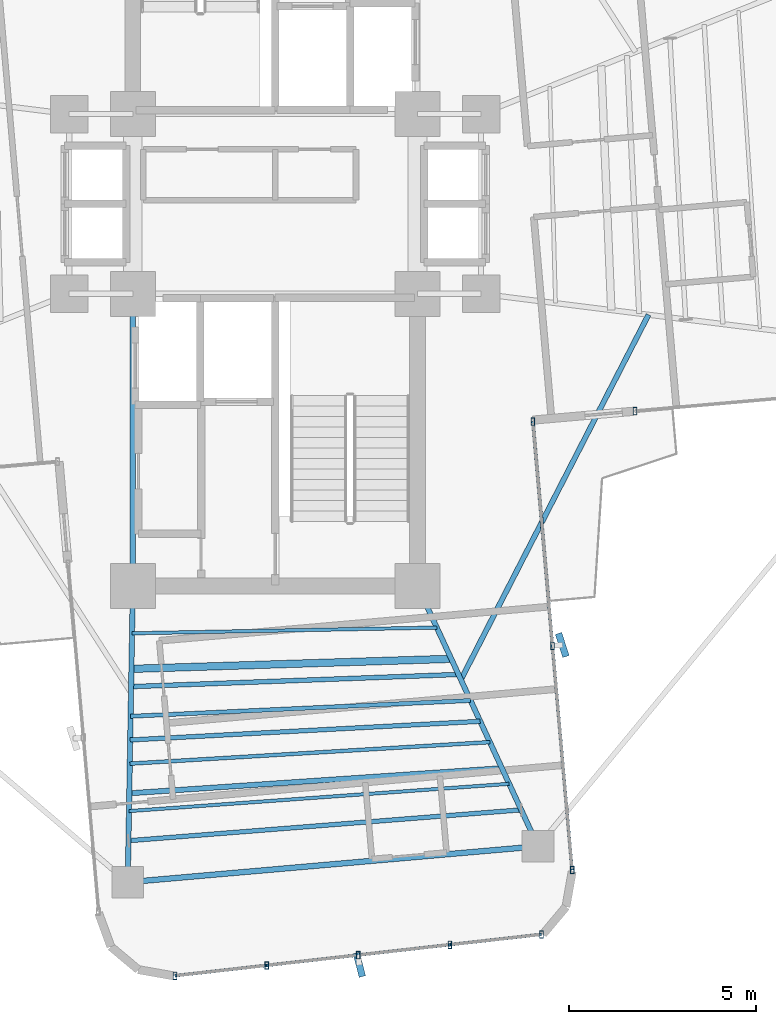
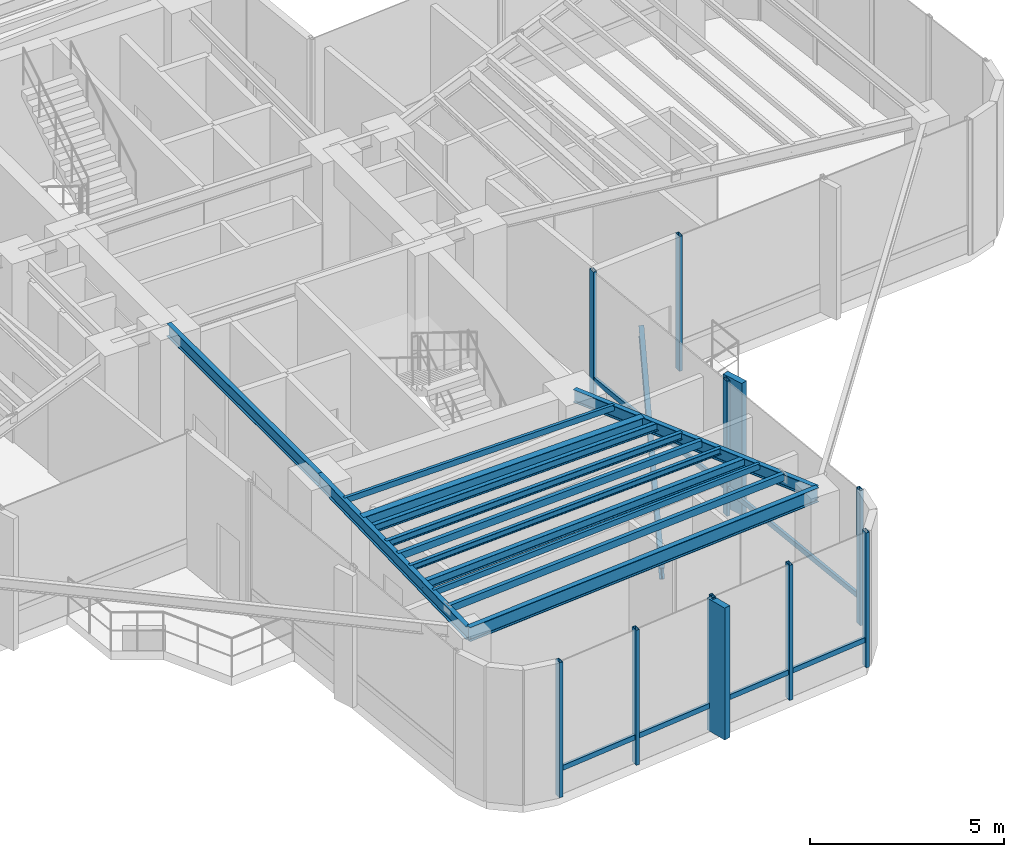
# One storey, part 3 of 19: 17 members, 14 beams, 3 elements without a shape of their own.
"""IFC4 building model written with IfcOpenShell, lengths in metres."""

from ifc_helpers import new_model, si_unit, direction, frame, origin, origin_2d, place, context, subcontext, project, spatial, rectangle, hollow_rectangle, i_section, extrude, source, transform, mapped, material, material_profile, profile_set, type_object, element, aggregate, save


model = new_model("IFC4")

# Units and contexts
model_context = context("Model", 3, precision=1e-05, world=origin(), true_north=direction((0.0, 1.0)))
body_context = subcontext(model_context, "Body", "Model", "MODEL_VIEW")
ifc_project = project(units=[si_unit("LENGTHUNIT", "METRE"), si_unit("AREAUNIT", "SQUARE_METRE"), si_unit("VOLUMEUNIT", "CUBIC_METRE"), si_unit("PLANEANGLEUNIT", "RADIAN"), si_unit("MASSUNIT", "GRAM", prefix="KILO")], contexts=[model_context])

# Site, building, storey
site_placement = place(None, origin())
site = spatial("IfcSite", under=ifc_project, at=site_placement, CompositionType="ELEMENT")
building_placement = place(site_placement, origin())
building = spatial("IfcBuilding", under=site, at=building_placement, Name="Sahyath Konkavel Grand Hotel", CompositionType="ELEMENT")
storey_placement = place(building_placement, frame((0.0, 0.0, 170.699951171875)))
storey = spatial("IfcBuildingStorey", under=building, at=storey_placement, Name="L47", CompositionType="ELEMENT", Elevation=170.699951171875)

# Beams
ifc_material_1 = material(Name="Steel E350", Category="steel")
ifc_material_profile_1 = material_profile(ifc_material_1, i_section(OverallWidth=0.139892578125, OverallDepth=0.39990234375, WebThickness=0.0087890625, FlangeThickness=0.01611328125, FilletRadius=0.013916015625, at=origin_2d()), Name="ISMB 400")
ifc_profile_set_1 = profile_set([ifc_material_profile_1], Name="Steel E350")
beam_type_1 = type_object("IfcBeamType", Name="BM-ISMB400", PredefinedType="BEAM", material=ifc_profile_set_1)
shared_shape_1 = source(origin(), body_context, "Body", "SweptSolid", [
    extrude(i_section(OverallWidth=0.139892578125, OverallDepth=0.39990234375, WebThickness=0.0087890625, FlangeThickness=0.01611328125, FilletRadius=0.013916015625, at=origin_2d()), origin(), (0.0, 0.0, 1.0), 7.800048828125),
])
beam_1_placement = place(storey_placement, frame((-3.800048828125, -10.199951171875, 4.06005859375), z_axis=(0.0, 1.0, 0.0), x_axis=(-1.0, 0.0, 0.0)))
element("IfcBeam", 1, at=beam_1_placement, inside=storey, type_object=beam_type_1, Name="str:bm:L47:SC-W", PredefinedType="BEAM", context=body_context, shape_type="MappedRepresentation", body=[
    mapped(shared_shape_1, transform((0.0, 0.0, 0.0), scale=1.0)),
])
shared_shape_2 = source(origin(), body_context, "Body", "SweptSolid", [
    extrude(i_section(OverallWidth=0.139892578125, OverallDepth=0.39990234375, WebThickness=0.0087890625, FlangeThickness=0.01611328125, FilletRadius=0.013916015625, at=origin_2d()), origin(), (0.0, 0.0, 1.0), 7.913330078125),
])
beam_2_placement = place(storey_placement, frame((-3.800048828125, -10.199951171875, 4.06005859375), z_axis=(-0.017215419232, -0.999851803689, 0.0), x_axis=(0.999851803689, -0.017215419232, 0.0)))
element("IfcBeam", 2, at=beam_2_placement, inside=storey, type_object=beam_type_1, Name="L47 Cruciform Radial Girder SA", PredefinedType="BEAM", context=body_context, shape_type="MappedRepresentation", body=[
    mapped(shared_shape_2, transform((0.0, 0.0, 0.0), scale=1.0)),
])
shared_shape_3 = source(origin(), body_context, "Body", "SweptSolid", [
    extrude(i_section(OverallWidth=0.139892578125, OverallDepth=0.39990234375, WebThickness=0.0087890625, FlangeThickness=0.01611328125, FilletRadius=0.013916015625, at=origin_2d()), origin(), (0.0, 0.0, 1.0), 7.66357421875),
])
beam_3_placement = place(storey_placement, frame((3.800048828125, -10.199951171875, 4.06005859375), z_axis=(0.420395127561, -0.907341135804, 0.0), x_axis=(0.907341135804, 0.420395127561, 0.0)))
element("IfcBeam", 3, at=beam_3_placement, inside=storey, type_object=beam_type_1, Name="L47 Cruciform Radial Girder SB", PredefinedType="BEAM", context=body_context, shape_type="MappedRepresentation", body=[
    mapped(shared_shape_3, transform((0.0, 0.0, 0.0), scale=1.0)),
])
ifc_material_profile_2 = material_profile(ifc_material_1, i_section(OverallWidth=0.14990234375, OverallDepth=0.449951171875, WebThickness=0.009521484375, FlangeThickness=0.017333984375, FilletRadius=0.014892578125, at=origin_2d()), Name="ISMB 450")
ifc_profile_set_2 = profile_set([ifc_material_profile_2], Name="Steel E350")
beam_type_2 = type_object("IfcBeamType", Name="BM-ISMB450", PredefinedType="BEAM", material=ifc_profile_set_2)
shared_shape_4 = source(origin(), body_context, "Body", "SweptSolid", [
    extrude(i_section(OverallWidth=0.14990234375, OverallDepth=0.449951171875, WebThickness=0.009521484375, FlangeThickness=0.017333984375, FilletRadius=0.014892578125, at=origin_2d()), origin(), (0.0, 0.0, 1.0), 10.999755859375),
])
beam_4_placement = place(storey_placement, frame((-3.936279296875, -18.112060546875, 4.03515625), z_axis=(0.99619439202, 0.087159241098, 0.0), x_axis=(-0.087159241098, 0.99619439202, 0.0)))
element("IfcBeam", 4, at=beam_4_placement, inside=storey, type_object=beam_type_2, Name="L47 Wing Tip Edge Beam S", PredefinedType="BEAM", context=body_context, shape_type="MappedRepresentation", body=[
    mapped(shared_shape_4, transform((0.0, 0.0, 0.0), scale=1.0)),
])
ifc_material_profile_3 = material_profile(ifc_material_1, i_section(OverallWidth=0.199951171875, OverallDepth=0.449951171875, WebThickness=0.00927734375, FlangeThickness=0.015380859375, FilletRadius=0.01611328125, at=origin_2d()), Name="ISWB 450")
ifc_profile_set_3 = profile_set([ifc_material_profile_3], Name="Steel E350")
beam_type_3 = type_object("IfcBeamType", Name="BM-ISWB450", PredefinedType="BEAM", material=ifc_profile_set_3)
shared_shape_5 = source(origin(), body_context, "Body", "SweptSolid", [
    extrude(i_section(OverallWidth=0.199951171875, OverallDepth=0.449951171875, WebThickness=0.00927734375, FlangeThickness=0.015380859375, FilletRadius=0.01611328125, at=origin_2d()), origin(), (0.0, 0.0, 1.0), 8.54443359375),
])
beam_5_placement = place(storey_placement, frame((-3.838134765625, -12.415283203125, 4.03515625), z_axis=(0.999506849365, 0.031401561632, 0.0), x_axis=(-0.031401561632, 0.999506849365, 0.0)))
element("IfcBeam", 5, at=beam_5_placement, inside=storey, type_object=beam_type_3, Name="L47 Secondary Floor Beam S-1", PredefinedType="BEAM", context=body_context, shape_type="MappedRepresentation", body=[
    mapped(shared_shape_5, transform((0.0, 0.0, 0.0), scale=1.0)),
])
ifc_material_profile_4 = material_profile(ifc_material_1, hollow_rectangle(XDim=0.1201171875, YDim=0.219970703125, WallThickness=0.010009765625, at=origin_2d()), Name="RHS 220x120x10")
ifc_profile_set_4 = profile_set([ifc_material_profile_4], Name="Steel E350")
beam_type_4 = type_object("IfcBeamType", Name="BM-RHS220", PredefinedType="BEAM", material=ifc_profile_set_4)
shared_shape_6 = source(origin(), body_context, "Body", "SweptSolid", [
    extrude(hollow_rectangle(XDim=0.1201171875, YDim=0.219970703125, WallThickness=0.010009765625, at=origin_2d()), origin(), (0.0, 0.0, 1.0), 9.359375),
])
beam_6_placement = place(storey_placement, frame((-3.870849609375, -14.314208984375, 4.150146484375), z_axis=(0.998580397723, 0.053265272769, 0.0), x_axis=(-0.053265272769, 0.998580397723, 0.0)))
element("IfcBeam", 6, at=beam_6_placement, inside=storey, type_object=beam_type_4, Name="L47 Secondary Floor Beam S-2", PredefinedType="BEAM", context=body_context, shape_type="MappedRepresentation", body=[
    mapped(shared_shape_6, transform((0.0, 0.0, 0.0), scale=1.0)),
])
ifc_material_profile_5 = material_profile(ifc_material_1, hollow_rectangle(XDim=0.090087890625, YDim=0.179931640625, WallThickness=0.008056640625, at=origin_2d()), Name="RHS 180x90x8")
ifc_profile_set_5 = profile_set([ifc_material_profile_5], Name="Steel E350")
beam_type_5 = type_object("IfcBeamType", Name="BM-RHS180", PredefinedType="BEAM", material=ifc_profile_set_5)
shared_shape_7 = source(origin(), body_context, "Body", "SweptSolid", [
    extrude(hollow_rectangle(XDim=0.090087890625, YDim=0.179931640625, WallThickness=0.008056640625, at=origin_2d()), origin(), (0.0, 0.0, 1.0), 10.178466796875),
])
beam_7_placement = place(storey_placement, frame((-3.90380859375, -16.213134765625, 4.170166015625), z_axis=(0.997435268886, 0.071574327683, 0.0), x_axis=(-0.071574327683, 0.997435268886, 0.0)))
element("IfcBeam", 7, at=beam_7_placement, inside=storey, type_object=beam_type_5, Name="L47 Secondary Floor Beam S-3", PredefinedType="BEAM", context=body_context, shape_type="MappedRepresentation", body=[
    mapped(shared_shape_7, transform((0.0, 0.0, 0.0), scale=1.0)),
])
shared_shape_8 = source(origin(), body_context, "Body", "SweptSolid", [
    extrude(hollow_rectangle(XDim=0.090087890625, YDim=0.179931640625, WallThickness=0.008056640625, at=origin_2d()), origin(), (0.0, 0.0, 1.0), 8.138671875),
])
beam_8_placement = place(storey_placement, frame((-3.82177734375, -11.4658203125, 4.170166015625), z_axis=(0.99982253895, 0.018838540488, 0.0), x_axis=(-0.018838540488, 0.99982253895, 0.0)))
element("IfcBeam", 8, at=beam_8_placement, inside=storey, type_object=beam_type_5, Name="L47 Composite Deck Sub-Beam S-1", PredefinedType="BEAM", context=body_context, shape_type="MappedRepresentation", body=[
    mapped(shared_shape_8, transform((0.0, 0.0, 0.0), scale=1.0)),
])
ifc_material_profile_6 = material_profile(ifc_material_1, i_section(OverallWidth=0.125, OverallDepth=0.25, WebThickness=0.0068359375, FlangeThickness=0.012451171875, FilletRadius=0.012939453125, at=origin_2d()), Name="ISMB 250")
ifc_profile_set_6 = profile_set([ifc_material_profile_6], Name="Steel E350")
beam_type_6 = type_object("IfcBeamType", Name="BM-ISMB250", PredefinedType="BEAM", material=ifc_profile_set_6)
shared_shape_9 = source(origin(), body_context, "Body", "SweptSolid", [
    extrude(i_section(OverallWidth=0.125, OverallDepth=0.25, WebThickness=0.0068359375, FlangeThickness=0.012451171875, FilletRadius=0.012939453125, at=origin_2d()), origin(), (0.0, 0.0, 1.0), 8.748046875),
])
beam_9_placement = place(storey_placement, frame((-3.846435546875, -12.89013671875, 4.135009765625), z_axis=(0.999305704761, 0.037257327223, 0.0), x_axis=(-0.037257327223, 0.999305704761, 0.0)))
element("IfcBeam", 9, at=beam_9_placement, inside=storey, type_object=beam_type_6, Name="L47 Composite Deck Sub-Beam S-2", PredefinedType="BEAM", context=body_context, shape_type="MappedRepresentation", body=[
    mapped(shared_shape_9, transform((0.0, 0.0, 0.0), scale=1.0)),
])
ifc_material_profile_7 = material_profile(ifc_material_1, i_section(OverallWidth=0.110107421875, OverallDepth=0.22509765625, WebThickness=0.006591796875, FlangeThickness=0.01171875, FilletRadius=0.011962890625, at=origin_2d()), Name="ISMB 225")
ifc_profile_set_7 = profile_set([ifc_material_profile_7], Name="Steel E350")
beam_type_7 = type_object("IfcBeamType", Name="BM-ISMB225", PredefinedType="BEAM", material=ifc_profile_set_7)
shared_shape_10 = source(origin(), body_context, "Body", "SweptSolid", [
    extrude(i_section(OverallWidth=0.110107421875, OverallDepth=0.22509765625, WebThickness=0.006591796875, FlangeThickness=0.01171875, FilletRadius=0.011962890625, at=origin_2d()), origin(), (0.0, 0.0, 1.0), 9.08740234375),
])
beam_10_placement = place(storey_placement, frame((-3.860107421875, -13.681396484375, 4.1474609375), z_axis=(0.998921825199, 0.046423993167, 0.0), x_axis=(-0.046423993167, 0.998921825199, 0.0)))
element("IfcBeam", 10, at=beam_10_placement, inside=storey, type_object=beam_type_7, Name="L47 Composite Deck Sub-Beam S-3", PredefinedType="BEAM", context=body_context, shape_type="MappedRepresentation", body=[
    mapped(shared_shape_10, transform((0.0, 0.0, 0.0), scale=1.0)),
])
ifc_material_profile_8 = material_profile(ifc_material_1, i_section(OverallWidth=0.10009765625, OverallDepth=0.199951171875, WebThickness=0.005615234375, FlangeThickness=0.0107421875, FilletRadius=0.010986328125, at=origin_2d()), Name="ISMB 200")
ifc_profile_set_8 = profile_set([ifc_material_profile_8], Name="Steel E350")
beam_type_8 = type_object("IfcBeamType", Name="BM-ISMB200", PredefinedType="BEAM", material=ifc_profile_set_8)
shared_shape_11 = source(origin(), body_context, "Body", "SweptSolid", [
    extrude(i_section(OverallWidth=0.10009765625, OverallDepth=0.199951171875, WebThickness=0.005615234375, FlangeThickness=0.0107421875, FilletRadius=0.010986328125, at=origin_2d()), origin(), (0.0, 0.0, 1.0), 9.6318359375),
])
beam_11_placement = place(storey_placement, frame((-3.8818359375, -14.947265625, 4.16015625), z_axis=(0.998215316487, 0.059717517791, 0.0), x_axis=(-0.059717517791, 0.998215316487, 0.0)))
element("IfcBeam", 11, at=beam_11_placement, inside=storey, type_object=beam_type_8, Name="L47 Composite Deck Sub-Beam S-4", PredefinedType="BEAM", context=body_context, shape_type="MappedRepresentation", body=[
    mapped(shared_shape_11, transform((0.0, 0.0, 0.0), scale=1.0)),
])
ifc_material_profile_9 = material_profile(ifc_material_1, i_section(OverallWidth=0.139892578125, OverallDepth=0.27490234375, WebThickness=0.00634765625, FlangeThickness=0.0087890625, FilletRadius=0.012939453125, at=origin_2d()), Name="ISLB 275")
ifc_profile_set_9 = profile_set([ifc_material_profile_9], Name="Steel E350")
beam_type_9 = type_object("IfcBeamType", Name="BM-ISLB275", PredefinedType="BEAM", material=ifc_profile_set_9)
shared_shape_12 = source(origin(), body_context, "Body", "SweptSolid", [
    extrude(i_section(OverallWidth=0.139892578125, OverallDepth=0.27490234375, WebThickness=0.00634765625, FlangeThickness=0.0087890625, FilletRadius=0.012939453125, at=origin_2d()), origin(), (0.0, 0.0, 1.0), 9.973388671875),
])
beam_12_placement = place(storey_placement, frame((-3.8955078125, -15.73828125, 4.12255859375), z_axis=(0.997734833375, 0.067269623684, 0.0), x_axis=(-0.067269623684, 0.997734833375, 0.0)))
element("IfcBeam", 12, at=beam_12_placement, inside=storey, type_object=beam_type_9, Name="L47 Composite Deck Sub-Beam S-5", PredefinedType="BEAM", context=body_context, shape_type="MappedRepresentation", body=[
    mapped(shared_shape_12, transform((0.0, 0.0, 0.0), scale=1.0)),
])
shared_shape_13 = source(origin(), body_context, "Body", "SweptSolid", [
    extrude(hollow_rectangle(XDim=0.1201171875, YDim=0.219970703125, WallThickness=0.010009765625, at=origin_2d()), origin(), (0.0, 0.0, 1.0), 10.5205078125),
])
beam_13_placement = place(storey_placement, frame((-3.917236328125, -17.00439453125, 4.150146484375), z_axis=(0.996922679946, 0.078391136033, 0.0), x_axis=(-0.078391136033, 0.996922679946, 0.0)))
element("IfcBeam", 13, at=beam_13_placement, inside=storey, type_object=beam_type_4, Name="L47 Composite Deck Sub-Beam S-6", PredefinedType="BEAM", context=body_context, shape_type="MappedRepresentation", body=[
    mapped(shared_shape_13, transform((0.0, 0.0, 0.0), scale=1.0)),
])

# Curtain wall, member
ifc_material_2 = material(Name="Anodised Bronze Aluminium & Low-E Glazing", Category="aluminium")
curtain_wall_type = type_object("IfcCurtainWallType", Name="CW-SKYLOBBY", PredefinedType="NOTDEFINED", material=ifc_material_2)
curtain_wall_1_placement = place(storey_placement, origin())
curtain_wall_1 = element("IfcCurtainWall", 14, at=curtain_wall_1_placement, inside=storey, type_object=curtain_wall_type, Name="L47 Unitised Curtain Wall F0", PredefinedType="NOTDEFINED")
ifc_material_3 = material(Name="Anodised Bronze Aluminium", Category="aluminium")
ifc_material_profile_10 = material_profile(ifc_material_3, hollow_rectangle(XDim=0.10009765625, YDim=0.199951171875, WallThickness=0.008056640625, at=origin_2d()), Name="RHS 200x100x8")
ifc_profile_set_10 = profile_set([ifc_material_profile_10], Name="Anodised Bronze Aluminium")
member_type_1 = type_object("IfcMemberType", Name="CW-MUL-200", PredefinedType="MULLION", material=ifc_profile_set_10)
shared_shape_14 = source(origin(), body_context, "Body", "SweptSolid", [
    extrude(hollow_rectangle(XDim=0.10009765625, YDim=0.199951171875, WallThickness=0.008056640625, at=origin_2d()), origin(), (0.0, 0.0, 1.0), 4.260009765625),
])
member_1_placement = place(storey_placement, frame((9.60888671875, -5.53369140625, 0.0), z_axis=(0.0, 0.0, 1.0), x_axis=(1.0, 0.0, 0.0)))
member_1 = element("IfcMember", 15, at=member_1_placement, type_object=member_type_1, Name="L47 Curtain Wall Mullion F0-0", PredefinedType="MULLION", context=body_context, shape_type="MappedRepresentation", body=[
    mapped(shared_shape_14, transform((0.0, 0.0, 0.0), scale=1.0)),
])
aggregate(curtain_wall_1, [member_1])

# Curtain wall, members
curtain_wall_2_placement = place(storey_placement, origin())
curtain_wall_2 = element("IfcCurtainWall", 16, at=curtain_wall_2_placement, inside=storey, type_object=curtain_wall_type, Name="L47 Unitised Curtain Wall F28", PredefinedType="NOTDEFINED")
member_2_placement = place(storey_placement, frame((-2.673828125, -20.610595703125, 0.0), z_axis=(0.0, 0.0, 1.0), x_axis=(1.0, 0.0, 0.0)))
member_2 = element("IfcMember", 17, at=member_2_placement, type_object=member_type_1, Name="L47 Curtain Wall Mullion F28-0", PredefinedType="MULLION", context=body_context, shape_type="MappedRepresentation", body=[
    mapped(shared_shape_14, transform((0.0, 0.0, 0.0), scale=1.0)),
])
member_3_placement = place(storey_placement, frame((-0.227294921875, -20.334716796875, 0.0), z_axis=(0.0, 0.0, 1.0), x_axis=(1.0, 0.0, 0.0)))
member_3 = element("IfcMember", 18, at=member_3_placement, type_object=member_type_1, Name="L47 Curtain Wall Mullion F28-1", PredefinedType="MULLION", context=body_context, shape_type="MappedRepresentation", body=[
    mapped(shared_shape_14, transform((0.0, 0.0, 0.0), scale=1.0)),
])
member_4_placement = place(storey_placement, frame((2.21923828125, -20.05908203125, 0.0), z_axis=(0.0, 0.0, 1.0), x_axis=(1.0, 0.0, 0.0)))
member_4 = element("IfcMember", 19, at=member_4_placement, type_object=member_type_1, Name="L47 Curtain Wall Mullion F28-2", PredefinedType="MULLION", context=body_context, shape_type="MappedRepresentation", body=[
    mapped(shared_shape_14, transform((0.0, 0.0, 0.0), scale=1.0)),
])
member_5_placement = place(storey_placement, frame((4.665771484375, -19.783203125, 0.0), z_axis=(0.0, 0.0, 1.0), x_axis=(1.0, 0.0, 0.0)))
member_5 = element("IfcMember", 20, at=member_5_placement, type_object=member_type_1, Name="L47 Curtain Wall Mullion F28-3", PredefinedType="MULLION", context=body_context, shape_type="MappedRepresentation", body=[
    mapped(shared_shape_14, transform((0.0, 0.0, 0.0), scale=1.0)),
])
member_6_placement = place(storey_placement, frame((7.1123046875, -19.507568359375, 0.0), z_axis=(0.0, 0.0, 1.0), x_axis=(1.0, 0.0, 0.0)))
member_6 = element("IfcMember", 21, at=member_6_placement, type_object=member_type_1, Name="L47 Curtain Wall Mullion F28-4", PredefinedType="MULLION", context=body_context, shape_type="MappedRepresentation", body=[
    mapped(shared_shape_14, transform((0.0, 0.0, 0.0), scale=1.0)),
])

curtain_wall_3_placement = place(storey_placement, origin())
curtain_wall_3 = element("IfcCurtainWall", 22, at=curtain_wall_3_placement, inside=storey, type_object=curtain_wall_type, Name="L47 Unitised Curtain Wall F31", PredefinedType="NOTDEFINED")
member_7_placement = place(storey_placement, frame((7.930419921875, -17.78662109375, 0.0), z_axis=(0.0, 0.0, 1.0), x_axis=(1.0, 0.0, 0.0)))
member_7 = element("IfcMember", 23, at=member_7_placement, type_object=member_type_1, Name="L47 Curtain Wall Mullion F31-0", PredefinedType="MULLION", context=body_context, shape_type="MappedRepresentation", body=[
    mapped(shared_shape_14, transform((0.0, 0.0, 0.0), scale=1.0)),
])
member_8_placement = place(storey_placement, frame((7.406494140625, -11.79931640625, 0.0), z_axis=(0.0, 0.0, 1.0), x_axis=(1.0, 0.0, 0.0)))
member_8 = element("IfcMember", 24, at=member_8_placement, type_object=member_type_1, Name="L47 Curtain Wall Mullion F31-1", PredefinedType="MULLION", context=body_context, shape_type="MappedRepresentation", body=[
    mapped(shared_shape_14, transform((0.0, 0.0, 0.0), scale=1.0)),
])
member_9_placement = place(storey_placement, frame((6.8828125, -5.812255859375, 0.0), z_axis=(0.0, 0.0, 1.0), x_axis=(1.0, 0.0, 0.0)))
member_9 = element("IfcMember", 25, at=member_9_placement, type_object=member_type_1, Name="L47 Curtain Wall Mullion F31-2", PredefinedType="MULLION", context=body_context, shape_type="MappedRepresentation", body=[
    mapped(shared_shape_14, transform((0.0, 0.0, 0.0), scale=1.0)),
])

# Member
ifc_material_4 = material(Name="Warm Buff Sandstone Cladding on Concrete C50/60", Category="masonry")
ifc_material_profile_11 = material_profile(ifc_material_4, rectangle(XDim=0.179931640625, YDim=0.64990234375, at=origin_2d()), Name="FIN 180x650")
ifc_profile_set_11 = profile_set([ifc_material_profile_11], Name="Warm Buff Sandstone Cladding on Concrete C50/60")
member_type_2 = type_object("IfcMemberType", Name="FIN-SANDSTONE-650", PredefinedType="MULLION", material=ifc_profile_set_11)
shared_shape_15 = source(origin(), body_context, "Body", "SweptSolid", [
    extrude(rectangle(XDim=0.179931640625, YDim=0.64990234375, at=origin_2d()), origin(), (0.0, 0.0, 1.0), 4.159912109375),
])
member_10_placement = place(storey_placement, frame((2.248291015625, -20.3173828125, 0.050048828125), z_axis=(0.0, 0.0, 1.0), x_axis=(0.969359662404, 0.245645771192, 0.0)))
member_10 = element("IfcMember", 26, at=member_10_placement, type_object=member_type_2, Name="L47 Sandstone Vertical Solar Fin FIN F28-2", PredefinedType="MULLION", context=body_context, shape_type="MappedRepresentation", body=[
    mapped(shared_shape_15, transform((0.0, 0.0, 0.0), scale=1.0)),
])

member_11_placement = place(storey_placement, frame((7.66552734375, -11.776611328125, 0.050048828125), z_axis=(0.0, 0.0, 1.0), x_axis=(0.951808747363, 0.306692204733, 0.0)))
member_11 = element("IfcMember", 27, at=member_11_placement, type_object=member_type_2, Name="L47 Sandstone Vertical Solar Fin FIN F31-1", PredefinedType="MULLION", context=body_context, shape_type="MappedRepresentation", body=[
    mapped(shared_shape_15, transform((0.0, 0.0, 0.0), scale=1.0)),
])

ifc_material_profile_12 = material_profile(ifc_material_3, hollow_rectangle(XDim=0.080078125, YDim=0.159912109375, WallThickness=0.006103515625, at=origin_2d()), Name="RHS 160x80x6")
ifc_profile_set_12 = profile_set([ifc_material_profile_12], Name="Anodised Bronze Aluminium")
member_type_3 = type_object("IfcMemberType", Name="CW-TRN-160", PredefinedType="USERDEFINED", material=ifc_profile_set_12)
shared_shape_16 = source(origin(), body_context, "Body", "SweptSolid", [
    extrude(hollow_rectangle(XDim=0.080078125, YDim=0.159912109375, WallThickness=0.006103515625, at=origin_2d()), origin(), (0.0, 0.0, 1.0), 2.462158203125),
])
member_12_placement = place(storey_placement, frame((-2.673828125, -20.610595703125, 0.85009765625), z_axis=(0.99370222711, 0.112053040279, 0.0), x_axis=(-0.112053040279, 0.99370222711, 0.0)))
member_12 = element("IfcMember", 28, at=member_12_placement, type_object=member_type_3, Name="L47 Curtain Wall Transom F28-0-spandrel", ObjectType="TRANSOM", PredefinedType="USERDEFINED", context=body_context, shape_type="MappedRepresentation", body=[
    mapped(shared_shape_16, transform((0.0, 0.0, 0.0), scale=1.0)),
])

member_13_placement = place(storey_placement, frame((2.21923828125, -20.05908203125, 0.85009765625), z_axis=(0.99370222711, 0.112053040279, 0.0), x_axis=(-0.112053040279, 0.99370222711, 0.0)))
member_13 = element("IfcMember", 29, at=member_13_placement, type_object=member_type_3, Name="L47 Curtain Wall Transom F28-2-spandrel", ObjectType="TRANSOM", PredefinedType="USERDEFINED", context=body_context, shape_type="MappedRepresentation", body=[
    mapped(shared_shape_16, transform((0.0, 0.0, 0.0), scale=1.0)),
])

shared_shape_17 = source(origin(), body_context, "Body", "SweptSolid", [
    extrude(hollow_rectangle(XDim=0.080078125, YDim=0.159912109375, WallThickness=0.006103515625, at=origin_2d()), origin(), (0.0, 0.0, 1.0), 2.4619140625),
])
member_14_placement = place(storey_placement, frame((-0.227294921875, -20.334716796875, 0.85009765625), z_axis=(0.993713263833, 0.111955121731, 0.0), x_axis=(-0.111955121731, 0.993713263833, 0.0)))
member_14 = element("IfcMember", 30, at=member_14_placement, type_object=member_type_3, Name="L47 Curtain Wall Transom F28-1-spandrel", ObjectType="TRANSOM", PredefinedType="USERDEFINED", context=body_context, shape_type="MappedRepresentation", body=[
    mapped(shared_shape_17, transform((0.0, 0.0, 0.0), scale=1.0)),
])

member_15_placement = place(storey_placement, frame((4.665771484375, -19.783203125, 0.85009765625), z_axis=(0.993713263833, 0.111955121731, 0.0), x_axis=(-0.111955121731, 0.993713263833, 0.0)))
member_15 = element("IfcMember", 31, at=member_15_placement, type_object=member_type_3, Name="L47 Curtain Wall Transom F28-3-spandrel", ObjectType="TRANSOM", PredefinedType="USERDEFINED", context=body_context, shape_type="MappedRepresentation", body=[
    mapped(shared_shape_17, transform((0.0, 0.0, 0.0), scale=1.0)),
])

aggregate(curtain_wall_2, [member_2, member_3, member_4, member_10, member_5, member_6, member_12, member_14, member_13, member_15])

shared_shape_18 = source(origin(), body_context, "Body", "SweptSolid", [
    extrude(hollow_rectangle(XDim=0.080078125, YDim=0.159912109375, WallThickness=0.006103515625, at=origin_2d()), origin(), (0.0, 0.0, 1.0), 6.01025390625),
])
member_16_placement = place(storey_placement, frame((7.930419921875, -17.78662109375, 0.85009765625), z_axis=(-0.087172997156, 0.996193188376, 0.0), x_axis=(-0.996193188376, -0.087172997156, 0.0)))
member_16 = element("IfcMember", 32, at=member_16_placement, type_object=member_type_3, Name="L47 Curtain Wall Transom F31-0-spandrel", ObjectType="TRANSOM", PredefinedType="USERDEFINED", context=body_context, shape_type="MappedRepresentation", body=[
    mapped(shared_shape_18, transform((0.0, 0.0, 0.0), scale=1.0)),
])

shared_shape_19 = source(origin(), body_context, "Body", "SweptSolid", [
    extrude(hollow_rectangle(XDim=0.080078125, YDim=0.159912109375, WallThickness=0.006103515625, at=origin_2d()), origin(), (0.0, 0.0, 1.0), 6.010009765625),
])
member_17_placement = place(storey_placement, frame((7.406494140625, -11.79931640625, 0.85009765625), z_axis=(-0.087136210597, 0.996196406741, 0.0), x_axis=(-0.996196406741, -0.087136210597, 0.0)))
member_17 = element("IfcMember", 33, at=member_17_placement, type_object=member_type_3, Name="L47 Curtain Wall Transom F31-1-spandrel", ObjectType="TRANSOM", PredefinedType="USERDEFINED", context=body_context, shape_type="MappedRepresentation", body=[
    mapped(shared_shape_19, transform((0.0, 0.0, 0.0), scale=1.0)),
])

aggregate(curtain_wall_3, [member_7, member_8, member_11, member_9, member_16, member_17])

# Beam
ifc_material_profile_13 = material_profile(ifc_material_1, i_section(OverallWidth=0.139892578125, OverallDepth=0.35009765625, WebThickness=0.008056640625, FlangeThickness=0.01416015625, FilletRadius=0.013916015625, at=origin_2d()), Name="ISMB 350")
ifc_profile_set_13 = profile_set([ifc_material_profile_13], Name="Steel E350")
beam_type_10 = type_object("IfcBeamType", Name="BM-BALC-CANT", PredefinedType="BEAM", material=ifc_profile_set_13)
shared_shape_20 = source(origin(), body_context, "Body", "SweptSolid", [
    extrude(i_section(OverallWidth=0.139892578125, OverallDepth=0.35009765625, WebThickness=0.008056640625, FlangeThickness=0.01416015625, FilletRadius=0.013916015625, at=origin_2d()), origin(), (0.0, 0.0, 1.0), 10.95556640625),
])
beam_14_placement = place(storey_placement, frame((4.959716796875, -12.703125, -0.474853515625), z_axis=(0.457186878355, 0.889370652912, 0.0), x_axis=(-0.889370652912, 0.457186878355, 0.0)))
element("IfcBeam", 34, at=beam_14_placement, inside=storey, type_object=beam_type_10, Name="L47 Balcony Cantilever Support Beam SE", PredefinedType="BEAM", context=body_context, shape_type="MappedRepresentation", body=[
    mapped(shared_shape_20, transform((0.0, 0.0, 0.0), scale=1.0)),
])

save(model, "model.ifc")
